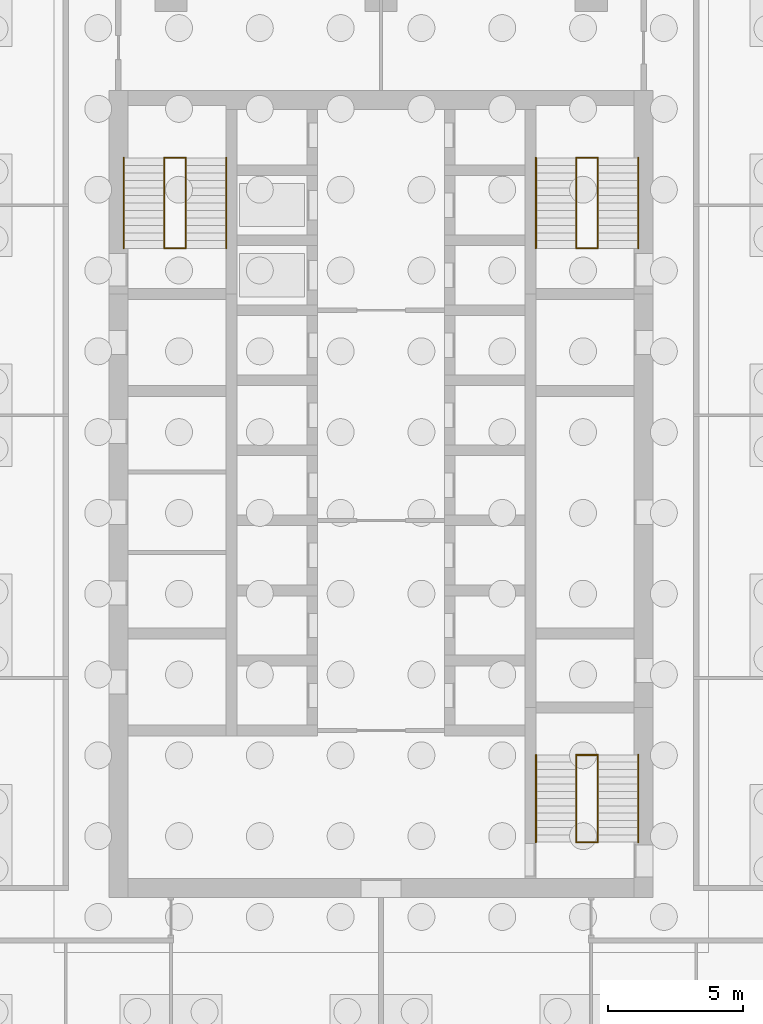
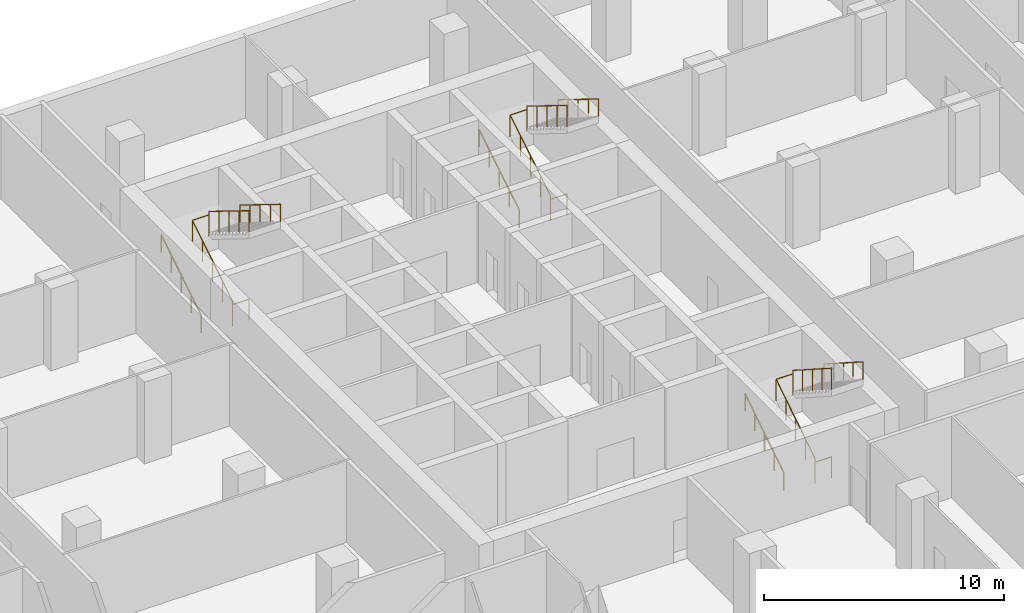
# One storey, part 15 of 16: 18 railings, 3 elements without a shape of their own.
"""IFC4 building model written with IfcOpenShell, lengths in metres."""

import ifcopenshell
import ifcopenshell.guid

model = None  # the IFC model being written
_history = None  # IfcOwnerHistory: only IFC2X3 demands one
_inside = {}  # id of a spatial element -> (the spatial element, [elements in it])
_under = {}  # id of a project, library or spatial element -> (it, [spatial elements below it])
_declared = {}  # id of a project -> (the project, [libraries it declares])
_typed = {}  # id of a type object -> (the type object, [elements of that type])
_made_of = {}  # id of a material, layer set ... -> (it, [elements and type objects made of it])


def new_model(schema):
    """Start an empty IFC model of exactly this schema.

    Asked for "IFC4X3", IfcOpenShell would pick the latest addendum, in which some entities
    have other attributes; the version numbers below select the first issue.
    IFC2X3 requires an IfcOwnerHistory on every rooted entity: one is made here for all.
    """
    global model, _history
    if schema == "IFC4X3":
        model = ifcopenshell.file(schema_version=(4, 3, 0, 0))
    else:
        model = ifcopenshell.file(schema=schema)
    _inside.clear()
    _under.clear()
    _declared.clear()
    _typed.clear()
    _made_of.clear()
    _history = None
    if model.schema == "IFC2X3":
        org = make("IfcOrganization", Name="unknown")
        user = make(
            "IfcPersonAndOrganization",
            ThePerson=make("IfcPerson", FamilyName="unknown"),
            TheOrganization=org,
        )
        app = make(
            "IfcApplication",
            ApplicationDeveloper=org,
            Version="unknown",
            ApplicationFullName="unknown",
            ApplicationIdentifier="unknown",
        )
        _history = make(
            "IfcOwnerHistory",
            OwningUser=user,
            OwningApplication=app,
            ChangeAction="ADDED",
            CreationDate=0,
        )
    return model


def make(cls, **values):
    """One entity of the class cls with the attributes given. An attribute that is None is left unset."""
    return model.create_entity(
        cls, **{name: value for name, value in values.items() if value is not None}
    )


def rooted(cls, **values):
    """An entity with a GlobalId (a new one), such as an element, a storey or a relation."""
    return make(cls, GlobalId=ifcopenshell.guid.new(), OwnerHistory=_history, **values)


def si_unit(unit_type, name, prefix=None):
    """IfcSIUnit, for example si_unit("LENGTHUNIT", "METRE", prefix="MILLI")."""
    return make("IfcSIUnit", UnitType=unit_type, Prefix=prefix, Name=name)


def assignment(units):
    """IfcUnitAssignment: the units of a project."""
    return None if units is None else make("IfcUnitAssignment", Units=units)


def point(xyz):
    """IfcCartesianPoint."""
    return None if xyz is None else make("IfcCartesianPoint", Coordinates=xyz)


def direction(xyz):
    """IfcDirection."""
    return None if xyz is None else make("IfcDirection", DirectionRatios=xyz)


def frame(location, z_axis=None, x_axis=None):
    """IfcAxis2Placement3D, a coordinate frame: its origin and axes. An axis left out is left unset."""
    return make(
        "IfcAxis2Placement3D",
        Location=point(location),
        Axis=direction(z_axis),
        RefDirection=direction(x_axis),
    )


def frame_2d(location, x_axis=None):
    """IfcAxis2Placement2D, a coordinate frame in the plane: its origin and x axis."""
    return make(
        "IfcAxis2Placement2D", Location=point(location), RefDirection=direction(x_axis)
    )


def origin():
    """The frame at (0, 0, 0) with its axes left unset."""
    return frame((0.0, 0.0, 0.0))


def origin_2d():
    """The frame at (0, 0) in the plane with its x axis left unset."""
    return frame_2d((0.0, 0.0))


def place(relative_to, where):
    """IfcLocalPlacement: puts the frame where relative to a parent placement (None: the world)."""
    return make(
        "IfcLocalPlacement", PlacementRelTo=relative_to, RelativePlacement=where
    )


def context(
    kind, dimensions, precision=None, world=None, true_north=None, identifier=None
):
    """IfcGeometricRepresentationContext, for example the 3D "Model" context."""
    return make(
        "IfcGeometricRepresentationContext",
        ContextIdentifier=identifier,
        ContextType=kind,
        CoordinateSpaceDimension=dimensions,
        Precision=precision,
        WorldCoordinateSystem=world,
        TrueNorth=true_north,
    )


def subcontext(parent, identifier, kind, view, scale=None):
    """IfcGeometricRepresentationSubContext, for example "Body" below "Model"."""
    return make(
        "IfcGeometricRepresentationSubContext",
        ContextIdentifier=identifier,
        ContextType=kind,
        ParentContext=parent,
        TargetScale=scale,
        TargetView=view,
    )


def project(units=None, contexts=None):
    """IfcProject with its units and contexts."""
    return rooted(
        "IfcProject",
        Name="project",
        RepresentationContexts=contexts,
        UnitsInContext=assignment(units),
    )


def spatial(cls, under=None, at=None, **own):
    """A site, building, storey or space (cls), placed at a placement, below another one or the project."""
    s = rooted(cls, ObjectPlacement=at, **own)
    if under is not None:
        _under.setdefault(under.id(), (under, []))[1].append(s)
    return s


def profile(cls, at=None, kind="AREA", **sizes):
    """A parametric profile (cls). Its sizes go by their IFC names, for example OverallWidth=200.0."""
    return make(cls, ProfileType=kind, Position=at, **sizes)


def circle(**sizes):
    """IfcCircleProfileDef."""
    return profile("IfcCircleProfileDef", **sizes)


def extrude(swept, where, along, depth):
    """IfcExtrudedAreaSolid: the profile swept, set in the frame where, extruded along a direction by depth."""
    return make(
        "IfcExtrudedAreaSolid",
        SweptArea=swept,
        Position=where,
        ExtrudedDirection=direction(along),
        Depth=depth,
    )


def shape(context_of_items, identifier, shape_type, items):
    """IfcShapeRepresentation: the items that make up one representation, for example the "Body"."""
    return make(
        "IfcShapeRepresentation",
        ContextOfItems=context_of_items,
        RepresentationIdentifier=identifier,
        RepresentationType=shape_type,
        Items=items,
    )


def material(Name=None, Category=None):
    """IfcMaterial."""
    return make("IfcMaterial", Name=Name, Category=Category)


def made_of(thing, what):
    """Note that an element or type object is made of a material, layer set ...; save() writes the relation."""
    if what is not None:
        _made_of.setdefault(what.id(), (what, []))[1].append(thing)
    return thing


def type_object(cls, material=None, **own):
    """A type object (cls), such as IfcWallType, which elements share."""
    return made_of(rooted(cls, **own), material)


def element(
    cls,
    number,
    at=None,
    inside=None,
    cuts=None,
    type_object=None,
    material=None,
    context=None,
    identifier="Body",
    shape_type=None,
    held_by="IfcProductDefinitionShape",
    body=None,
    shapes=None,
    **own,
):
    """One element of the class cls, such as IfcWall. Its Tag is "e" and its number.

    at: its placement. inside: the storey or other place that contains it. cuts: it is an
    opening in that element (IfcRelVoidsElement). A single representation is given by context,
    identifier, shape_type and body (its items); several are given by shapes. held_by: the class
    of the entity that holds the representations. save() writes the other relations.
    """
    e = rooted(cls, Tag="e%d" % number, ObjectPlacement=at, **own)
    if body is not None:
        shapes = [shape(context, identifier, shape_type, body)]
    if shapes is not None:
        e.Representation = make(held_by, Representations=shapes)
    if inside is not None:
        _inside.setdefault(inside.id(), (inside, []))[1].append(e)
    if cuts is not None:
        rooted(
            "IfcRelVoidsElement", RelatingBuildingElement=cuts, RelatedOpeningElement=e
        )
    if type_object is not None:
        _typed.setdefault(type_object.id(), (type_object, []))[1].append(e)
    return made_of(e, material)


def aggregate(whole, parts):
    """IfcRelAggregates: a whole, such as a stair, and the parts it consists of."""
    return rooted("IfcRelAggregates", RelatingObject=whole, RelatedObjects=parts)


def save(model, path):
    """Write the relations noted so far, then the file.

    IfcRelAggregates (storeys below a building ...), IfcRelContainedInSpatialStructure (elements
    in a storey), IfcRelDefinesByType, IfcRelAssociatesMaterial and IfcRelDeclares: one each for
    every whole, place, type object, material and project.
    """
    for whole, parts in _under.values():
        aggregate(whole, parts)
    for where, things in _inside.values():
        rooted(
            "IfcRelContainedInSpatialStructure",
            RelatedElements=things,
            RelatingStructure=where,
        )
    for kind, things in _typed.values():
        rooted("IfcRelDefinesByType", RelatedObjects=things, RelatingType=kind)
    for what, things in _made_of.values():
        rooted("IfcRelAssociatesMaterial", RelatedObjects=things, RelatingMaterial=what)
    for by, libraries in _declared.values():
        rooted("IfcRelDeclares", RelatingContext=by, RelatedDefinitions=libraries)
    model.write(path)


model = new_model("IFC4")

# Units and contexts
model_context = context("Model", 3, precision=1e-05, world=origin(), true_north=direction((0.0, 1.0)))
body_context = subcontext(model_context, "Body", "Model", "MODEL_VIEW")
ifc_project = project(units=[si_unit("LENGTHUNIT", "METRE"), si_unit("AREAUNIT", "SQUARE_METRE"), si_unit("VOLUMEUNIT", "CUBIC_METRE"), si_unit("PLANEANGLEUNIT", "RADIAN"), si_unit("MASSUNIT", "GRAM", prefix="KILO")], contexts=[model_context])

# Site, building, storey
site_placement = place(None, origin())
site = spatial("IfcSite", under=ifc_project, at=site_placement, CompositionType="ELEMENT")
building_placement = place(site_placement, origin())
building = spatial("IfcBuilding", under=site, at=building_placement, Name="Ludao Terraces", CompositionType="ELEMENT")
storey_placement = place(building_placement, frame((0.0, 0.0, -9.0)))
storey = spatial("IfcBuildingStorey", under=building, at=storey_placement, Name="B2", CompositionType="ELEMENT", Elevation=-9.0)

# Stair, railings
ifc_material_1 = material(Name="Concrete C40", Category="concrete")
stair_type = type_object("IfcStairType", Name="INT Stair", PredefinedType="HALF_TURN_STAIR", material=ifc_material_1)
stair_1_placement = place(storey_placement, origin())
stair_1 = element("IfcStair", 1, at=stair_1_placement, inside=storey, type_object=stair_type, Name="EXIT STAIR 1", PredefinedType="HALF_TURN_STAIR")
ifc_material_2 = material(Name="Stainless steel 304", Category="steel")
railing_type_1 = type_object("IfcRailingType", Name="INT Stair guard 1100", PredefinedType="GUARDRAIL", material=ifc_material_2)
railing_1_placement = place(storey_placement, frame((76.949951171875, 79.0, 0.173095703125)))
railing_1 = element("IfcRailing", 2, at=railing_1_placement, type_object=railing_type_1, Name="ST-B2-S1-R1G", PredefinedType="GUARDRAIL", context=body_context, shape_type="SweptSolid", body=[
    extrude(circle(Radius=0.02392578125, at=origin_2d()), frame((0.0, 0.0, 1.076171875), z_axis=(0.0, 0.850623216509, 0.525775754039), x_axis=(-1.0, 0.0, 0.0)), (0.0, 0.0, 1.0), 3.9501953125),
    extrude(circle(Radius=0.02099609375, at=origin_2d()), origin(), (0.0, 0.0, 1.0), 1.052001953125),
    extrude(circle(Radius=0.02099609375, at=origin_2d()), frame((0.0, 0.840087890625, 0.519287109375)), (0.0, 0.0, 1.0), 1.052001953125),
    extrude(circle(Radius=0.02099609375, at=origin_2d()), frame((0.0, 1.68017578125, 1.03857421875)), (0.0, 0.0, 1.0), 1.052001953125),
    extrude(circle(Radius=0.02099609375, at=origin_2d()), frame((0.0, 2.52001953125, 1.5576171875)), (0.0, 0.0, 1.0), 1.052001953125),
    extrude(circle(Radius=0.02099609375, at=origin_2d()), frame((0.0, 3.360107421875, 2.076904296875)), (0.0, 0.0, 1.0), 1.052001953125),
])
railing_2_placement = place(storey_placement, frame((77.75, 82.360107421875, 2.423095703125)))
railing_2 = element("IfcRailing", 3, at=railing_2_placement, type_object=railing_type_1, Name="ST-B2-S1-R2G", PredefinedType="GUARDRAIL", context=body_context, shape_type="SweptSolid", body=[
    extrude(circle(Radius=0.02392578125, at=origin_2d()), frame((0.0, 0.0, 1.076171875), z_axis=(0.0, -0.850623216509, 0.525775754039), x_axis=(1.0, 0.0, 0.0)), (0.0, 0.0, 1.0), 3.9501953125),
    extrude(circle(Radius=0.02099609375, at=origin_2d()), origin(), (0.0, 0.0, 1.0), 1.052001953125),
    extrude(circle(Radius=0.02099609375, at=origin_2d()), frame((0.0, -0.840087890625, 0.519287109375)), (0.0, 0.0, 1.0), 1.052001953125),
    extrude(circle(Radius=0.02099609375, at=origin_2d()), frame((0.0, -1.68017578125, 1.03857421875)), (0.0, 0.0, 1.0), 1.052001953125),
    extrude(circle(Radius=0.02099609375, at=origin_2d()), frame((0.0, -2.52001953125, 1.5576171875)), (0.0, 0.0, 1.0), 1.052001953125),
    extrude(circle(Radius=0.02099609375, at=origin_2d()), frame((0.0, -3.360107421875, 2.076904296875)), (0.0, 0.0, 1.0), 1.052001953125),
])
railing_3_placement = place(storey_placement, frame((76.949951171875, 82.360107421875, 2.25)))
railing_3 = element("IfcRailing", 4, at=railing_3_placement, type_object=railing_type_1, Name="ST-B2-S1-E1G", PredefinedType="GUARDRAIL", context=body_context, shape_type="SweptSolid", body=[
    extrude(circle(Radius=0.02392578125, at=origin_2d()), frame((0.0, 0.0, 1.076171875), z_axis=(1.0, 0.0, 0.0), x_axis=(0.0, 1.0, 0.0)), (0.0, 0.0, 1.0), 0.800048828125),
    extrude(circle(Radius=0.02099609375, at=origin_2d()), origin(), (0.0, 0.0, 1.0), 1.052001953125),
    extrude(circle(Radius=0.02099609375, at=origin_2d()), frame((0.800048828125, 0.0, 0.0)), (0.0, 0.0, 1.0), 1.052001953125),
])
railing_4_placement = place(storey_placement, frame((76.949951171875, 79.0, 0.0)))
railing_4 = element("IfcRailing", 5, at=railing_4_placement, type_object=railing_type_1, Name="ST-B2-S1-E2G", PredefinedType="GUARDRAIL", context=body_context, shape_type="SweptSolid", body=[
    extrude(circle(Radius=0.02392578125, at=origin_2d()), frame((0.0, 0.0, 1.076171875), z_axis=(1.0, 0.0, 0.0), x_axis=(0.0, 1.0, 0.0)), (0.0, 0.0, 1.0), 0.800048828125),
    extrude(circle(Radius=0.02099609375, at=origin_2d()), origin(), (0.0, 0.0, 1.0), 1.052001953125),
    extrude(circle(Radius=0.02099609375, at=origin_2d()), frame((0.800048828125, 0.0, 0.0)), (0.0, 0.0, 1.0), 1.052001953125),
])

stair_2_placement = place(storey_placement, origin())
stair_2 = element("IfcStair", 6, at=stair_2_placement, inside=storey, type_object=stair_type, Name="EXIT STAIR 2", PredefinedType="HALF_TURN_STAIR")
railing_5_placement = place(storey_placement, frame((92.25, 79.0, 0.173095703125)))
railing_5 = element("IfcRailing", 7, at=railing_5_placement, type_object=railing_type_1, Name="ST-B2-S2-R1G", PredefinedType="GUARDRAIL", context=body_context, shape_type="SweptSolid", body=[
    extrude(circle(Radius=0.02392578125, at=origin_2d()), frame((0.0, 0.0, 1.076171875), z_axis=(0.0, 0.850623216509, 0.525775754039), x_axis=(-1.0, 0.0, 0.0)), (0.0, 0.0, 1.0), 3.9501953125),
    extrude(circle(Radius=0.02099609375, at=origin_2d()), origin(), (0.0, 0.0, 1.0), 1.052001953125),
    extrude(circle(Radius=0.02099609375, at=origin_2d()), frame((0.0, 0.840087890625, 0.519287109375)), (0.0, 0.0, 1.0), 1.052001953125),
    extrude(circle(Radius=0.02099609375, at=origin_2d()), frame((0.0, 1.68017578125, 1.03857421875)), (0.0, 0.0, 1.0), 1.052001953125),
    extrude(circle(Radius=0.02099609375, at=origin_2d()), frame((0.0, 2.52001953125, 1.5576171875)), (0.0, 0.0, 1.0), 1.052001953125),
    extrude(circle(Radius=0.02099609375, at=origin_2d()), frame((0.0, 3.360107421875, 2.076904296875)), (0.0, 0.0, 1.0), 1.052001953125),
])
railing_6_placement = place(storey_placement, frame((93.050048828125, 82.360107421875, 2.423095703125)))
railing_6 = element("IfcRailing", 8, at=railing_6_placement, type_object=railing_type_1, Name="ST-B2-S2-R2G", PredefinedType="GUARDRAIL", context=body_context, shape_type="SweptSolid", body=[
    extrude(circle(Radius=0.02392578125, at=origin_2d()), frame((0.0, 0.0, 1.076171875), z_axis=(0.0, -0.850623216509, 0.525775754039), x_axis=(1.0, 0.0, 0.0)), (0.0, 0.0, 1.0), 3.9501953125),
    extrude(circle(Radius=0.02099609375, at=origin_2d()), origin(), (0.0, 0.0, 1.0), 1.052001953125),
    extrude(circle(Radius=0.02099609375, at=origin_2d()), frame((0.0, -0.840087890625, 0.519287109375)), (0.0, 0.0, 1.0), 1.052001953125),
    extrude(circle(Radius=0.02099609375, at=origin_2d()), frame((0.0, -1.68017578125, 1.03857421875)), (0.0, 0.0, 1.0), 1.052001953125),
    extrude(circle(Radius=0.02099609375, at=origin_2d()), frame((0.0, -2.52001953125, 1.5576171875)), (0.0, 0.0, 1.0), 1.052001953125),
    extrude(circle(Radius=0.02099609375, at=origin_2d()), frame((0.0, -3.360107421875, 2.076904296875)), (0.0, 0.0, 1.0), 1.052001953125),
])
railing_7_placement = place(storey_placement, frame((92.25, 82.360107421875, 2.25)))
railing_7 = element("IfcRailing", 9, at=railing_7_placement, type_object=railing_type_1, Name="ST-B2-S2-E1G", PredefinedType="GUARDRAIL", context=body_context, shape_type="SweptSolid", body=[
    extrude(circle(Radius=0.02392578125, at=origin_2d()), frame((0.0, 0.0, 1.076171875), z_axis=(1.0, 0.0, 0.0), x_axis=(0.0, 1.0, 0.0)), (0.0, 0.0, 1.0), 0.800048828125),
    extrude(circle(Radius=0.02099609375, at=origin_2d()), origin(), (0.0, 0.0, 1.0), 1.052001953125),
    extrude(circle(Radius=0.02099609375, at=origin_2d()), frame((0.800048828125, 0.0, 0.0)), (0.0, 0.0, 1.0), 1.052001953125),
])
railing_8_placement = place(storey_placement, frame((92.25, 79.0, 0.0)))
railing_8 = element("IfcRailing", 10, at=railing_8_placement, type_object=railing_type_1, Name="ST-B2-S2-E2G", PredefinedType="GUARDRAIL", context=body_context, shape_type="SweptSolid", body=[
    extrude(circle(Radius=0.02392578125, at=origin_2d()), frame((0.0, 0.0, 1.076171875), z_axis=(1.0, 0.0, 0.0), x_axis=(0.0, 1.0, 0.0)), (0.0, 0.0, 1.0), 0.800048828125),
    extrude(circle(Radius=0.02099609375, at=origin_2d()), origin(), (0.0, 0.0, 1.0), 1.052001953125),
    extrude(circle(Radius=0.02099609375, at=origin_2d()), frame((0.800048828125, 0.0, 0.0)), (0.0, 0.0, 1.0), 1.052001953125),
])

stair_3_placement = place(storey_placement, origin())
stair_3 = element("IfcStair", 11, at=stair_3_placement, inside=storey, type_object=stair_type, Name="EXIT STAIR 3", PredefinedType="HALF_TURN_STAIR")
railing_9_placement = place(storey_placement, frame((92.25, 56.949951171875, 0.173095703125)))
railing_9 = element("IfcRailing", 12, at=railing_9_placement, type_object=railing_type_1, Name="ST-B2-S3-R1G", PredefinedType="GUARDRAIL", context=body_context, shape_type="SweptSolid", body=[
    extrude(circle(Radius=0.02392578125, at=origin_2d()), frame((0.0, 0.0, 1.076171875), z_axis=(0.0, 0.841880617004, 0.539663808971), x_axis=(-1.0, 0.0, 0.0)), (0.0, 0.0, 1.0), 3.8486328125),
    extrude(circle(Radius=0.02099609375, at=origin_2d()), origin(), (0.0, 0.0, 1.0), 1.052001953125),
    extrude(circle(Radius=0.02099609375, at=origin_2d()), frame((0.0, 0.81005859375, 0.519287109375)), (0.0, 0.0, 1.0), 1.052001953125),
    extrude(circle(Radius=0.02099609375, at=origin_2d()), frame((0.0, 1.6201171875, 1.03857421875)), (0.0, 0.0, 1.0), 1.052001953125),
    extrude(circle(Radius=0.02099609375, at=origin_2d()), frame((0.0, 2.429931640625, 1.5576171875)), (0.0, 0.0, 1.0), 1.052001953125),
    extrude(circle(Radius=0.02099609375, at=origin_2d()), frame((0.0, 3.239990234375, 2.076904296875)), (0.0, 0.0, 1.0), 1.052001953125),
])
railing_10_placement = place(storey_placement, frame((93.050048828125, 60.18994140625, 2.423095703125)))
railing_10 = element("IfcRailing", 13, at=railing_10_placement, type_object=railing_type_1, Name="ST-B2-S3-R2G", PredefinedType="GUARDRAIL", context=body_context, shape_type="SweptSolid", body=[
    extrude(circle(Radius=0.02392578125, at=origin_2d()), frame((0.0, 0.0, 1.076171875), z_axis=(0.0, -0.841880617004, 0.539663808971), x_axis=(1.0, 0.0, 0.0)), (0.0, 0.0, 1.0), 3.8486328125),
    extrude(circle(Radius=0.02099609375, at=origin_2d()), origin(), (0.0, 0.0, 1.0), 1.052001953125),
    extrude(circle(Radius=0.02099609375, at=origin_2d()), frame((0.0, -0.81005859375, 0.519287109375)), (0.0, 0.0, 1.0), 1.052001953125),
    extrude(circle(Radius=0.02099609375, at=origin_2d()), frame((0.0, -1.6201171875, 1.03857421875)), (0.0, 0.0, 1.0), 1.052001953125),
    extrude(circle(Radius=0.02099609375, at=origin_2d()), frame((0.0, -2.429931640625, 1.5576171875)), (0.0, 0.0, 1.0), 1.052001953125),
    extrude(circle(Radius=0.02099609375, at=origin_2d()), frame((0.0, -3.239990234375, 2.076904296875)), (0.0, 0.0, 1.0), 1.052001953125),
])
railing_11_placement = place(storey_placement, frame((92.25, 60.18994140625, 2.25)))
railing_11 = element("IfcRailing", 14, at=railing_11_placement, type_object=railing_type_1, Name="ST-B2-S3-E1G", PredefinedType="GUARDRAIL", context=body_context, shape_type="SweptSolid", body=[
    extrude(circle(Radius=0.02392578125, at=origin_2d()), frame((0.0, 0.0, 1.076171875), z_axis=(1.0, 0.0, 0.0), x_axis=(0.0, 1.0, 0.0)), (0.0, 0.0, 1.0), 0.800048828125),
    extrude(circle(Radius=0.02099609375, at=origin_2d()), origin(), (0.0, 0.0, 1.0), 1.052001953125),
    extrude(circle(Radius=0.02099609375, at=origin_2d()), frame((0.800048828125, 0.0, 0.0)), (0.0, 0.0, 1.0), 1.052001953125),
])
railing_12_placement = place(storey_placement, frame((92.25, 56.949951171875, 0.0)))
railing_12 = element("IfcRailing", 15, at=railing_12_placement, type_object=railing_type_1, Name="ST-B2-S3-E2G", PredefinedType="GUARDRAIL", context=body_context, shape_type="SweptSolid", body=[
    extrude(circle(Radius=0.02392578125, at=origin_2d()), frame((0.0, 0.0, 1.076171875), z_axis=(1.0, 0.0, 0.0), x_axis=(0.0, 1.0, 0.0)), (0.0, 0.0, 1.0), 0.800048828125),
    extrude(circle(Radius=0.02099609375, at=origin_2d()), origin(), (0.0, 0.0, 1.0), 1.052001953125),
    extrude(circle(Radius=0.02099609375, at=origin_2d()), frame((0.800048828125, 0.0, 0.0)), (0.0, 0.0, 1.0), 1.052001953125),
])

# Railing
railing_type_2 = type_object("IfcRailingType", Name="INT Stair handrail 900", PredefinedType="HANDRAIL", material=ifc_material_2)
railing_13_placement = place(storey_placement, frame((75.449951171875, 79.0, 0.173095703125)))
railing_13 = element("IfcRailing", 16, at=railing_13_placement, type_object=railing_type_2, Name="ST-B2-S1-R1H", PredefinedType="HANDRAIL", context=body_context, shape_type="SweptSolid", body=[
    extrude(circle(Radius=0.02392578125, at=origin_2d()), frame((0.0, 0.0, 0.8759765625), z_axis=(0.0, 0.850623216509, 0.525775754039), x_axis=(-1.0, 0.0, 0.0)), (0.0, 0.0, 1.0), 3.9501953125),
    extrude(circle(Radius=0.02099609375, at=origin_2d()), origin(), (0.0, 0.0, 1.0), 0.851806640625),
    extrude(circle(Radius=0.02099609375, at=origin_2d()), frame((0.0, 0.840087890625, 0.519287109375)), (0.0, 0.0, 1.0), 0.851806640625),
    extrude(circle(Radius=0.02099609375, at=origin_2d()), frame((0.0, 1.68017578125, 1.03857421875)), (0.0, 0.0, 1.0), 0.851806640625),
    extrude(circle(Radius=0.02099609375, at=origin_2d()), frame((0.0, 2.52001953125, 1.5576171875)), (0.0, 0.0, 1.0), 0.851806640625),
    extrude(circle(Radius=0.02099609375, at=origin_2d()), frame((0.0, 3.360107421875, 2.076904296875)), (0.0, 0.0, 1.0), 0.851806640625),
])

railing_14_placement = place(storey_placement, frame((79.25, 82.360107421875, 2.423095703125)))
railing_14 = element("IfcRailing", 17, at=railing_14_placement, type_object=railing_type_2, Name="ST-B2-S1-R2H", PredefinedType="HANDRAIL", context=body_context, shape_type="SweptSolid", body=[
    extrude(circle(Radius=0.02392578125, at=origin_2d()), frame((0.0, 0.0, 0.8759765625), z_axis=(0.0, -0.850623216509, 0.525775754039), x_axis=(1.0, 0.0, 0.0)), (0.0, 0.0, 1.0), 3.9501953125),
    extrude(circle(Radius=0.02099609375, at=origin_2d()), origin(), (0.0, 0.0, 1.0), 0.851806640625),
    extrude(circle(Radius=0.02099609375, at=origin_2d()), frame((0.0, -0.840087890625, 0.519287109375)), (0.0, 0.0, 1.0), 0.851806640625),
    extrude(circle(Radius=0.02099609375, at=origin_2d()), frame((0.0, -1.68017578125, 1.03857421875)), (0.0, 0.0, 1.0), 0.851806640625),
    extrude(circle(Radius=0.02099609375, at=origin_2d()), frame((0.0, -2.52001953125, 1.5576171875)), (0.0, 0.0, 1.0), 0.851806640625),
    extrude(circle(Radius=0.02099609375, at=origin_2d()), frame((0.0, -3.360107421875, 2.076904296875)), (0.0, 0.0, 1.0), 0.851806640625),
])

aggregate(stair_1, [railing_1, railing_13, railing_2, railing_14, railing_3, railing_4])

railing_15_placement = place(storey_placement, frame((90.75, 79.0, 0.173095703125)))
railing_15 = element("IfcRailing", 18, at=railing_15_placement, type_object=railing_type_2, Name="ST-B2-S2-R1H", PredefinedType="HANDRAIL", context=body_context, shape_type="SweptSolid", body=[
    extrude(circle(Radius=0.02392578125, at=origin_2d()), frame((0.0, 0.0, 0.8759765625), z_axis=(0.0, 0.850623216509, 0.525775754039), x_axis=(-1.0, 0.0, 0.0)), (0.0, 0.0, 1.0), 3.9501953125),
    extrude(circle(Radius=0.02099609375, at=origin_2d()), origin(), (0.0, 0.0, 1.0), 0.851806640625),
    extrude(circle(Radius=0.02099609375, at=origin_2d()), frame((0.0, 0.840087890625, 0.519287109375)), (0.0, 0.0, 1.0), 0.851806640625),
    extrude(circle(Radius=0.02099609375, at=origin_2d()), frame((0.0, 1.68017578125, 1.03857421875)), (0.0, 0.0, 1.0), 0.851806640625),
    extrude(circle(Radius=0.02099609375, at=origin_2d()), frame((0.0, 2.52001953125, 1.5576171875)), (0.0, 0.0, 1.0), 0.851806640625),
    extrude(circle(Radius=0.02099609375, at=origin_2d()), frame((0.0, 3.360107421875, 2.076904296875)), (0.0, 0.0, 1.0), 0.851806640625),
])

railing_16_placement = place(storey_placement, frame((94.550048828125, 82.360107421875, 2.423095703125)))
railing_16 = element("IfcRailing", 19, at=railing_16_placement, type_object=railing_type_2, Name="ST-B2-S2-R2H", PredefinedType="HANDRAIL", context=body_context, shape_type="SweptSolid", body=[
    extrude(circle(Radius=0.02392578125, at=origin_2d()), frame((0.0, 0.0, 0.8759765625), z_axis=(0.0, -0.850623216509, 0.525775754039), x_axis=(1.0, 0.0, 0.0)), (0.0, 0.0, 1.0), 3.9501953125),
    extrude(circle(Radius=0.02099609375, at=origin_2d()), origin(), (0.0, 0.0, 1.0), 0.851806640625),
    extrude(circle(Radius=0.02099609375, at=origin_2d()), frame((0.0, -0.840087890625, 0.519287109375)), (0.0, 0.0, 1.0), 0.851806640625),
    extrude(circle(Radius=0.02099609375, at=origin_2d()), frame((0.0, -1.68017578125, 1.03857421875)), (0.0, 0.0, 1.0), 0.851806640625),
    extrude(circle(Radius=0.02099609375, at=origin_2d()), frame((0.0, -2.52001953125, 1.5576171875)), (0.0, 0.0, 1.0), 0.851806640625),
    extrude(circle(Radius=0.02099609375, at=origin_2d()), frame((0.0, -3.360107421875, 2.076904296875)), (0.0, 0.0, 1.0), 0.851806640625),
])

aggregate(stair_2, [railing_5, railing_15, railing_6, railing_16, railing_7, railing_8])

railing_17_placement = place(storey_placement, frame((90.75, 56.949951171875, 0.173095703125)))
railing_17 = element("IfcRailing", 20, at=railing_17_placement, type_object=railing_type_2, Name="ST-B2-S3-R1H", PredefinedType="HANDRAIL", context=body_context, shape_type="SweptSolid", body=[
    extrude(circle(Radius=0.02392578125, at=origin_2d()), frame((0.0, 0.0, 0.8759765625), z_axis=(0.0, 0.841880617004, 0.539663808971), x_axis=(-1.0, 0.0, 0.0)), (0.0, 0.0, 1.0), 3.8486328125),
    extrude(circle(Radius=0.02099609375, at=origin_2d()), origin(), (0.0, 0.0, 1.0), 0.851806640625),
    extrude(circle(Radius=0.02099609375, at=origin_2d()), frame((0.0, 0.81005859375, 0.519287109375)), (0.0, 0.0, 1.0), 0.851806640625),
    extrude(circle(Radius=0.02099609375, at=origin_2d()), frame((0.0, 1.6201171875, 1.03857421875)), (0.0, 0.0, 1.0), 0.851806640625),
    extrude(circle(Radius=0.02099609375, at=origin_2d()), frame((0.0, 2.429931640625, 1.5576171875)), (0.0, 0.0, 1.0), 0.851806640625),
    extrude(circle(Radius=0.02099609375, at=origin_2d()), frame((0.0, 3.239990234375, 2.076904296875)), (0.0, 0.0, 1.0), 0.851806640625),
])

railing_18_placement = place(storey_placement, frame((94.550048828125, 60.18994140625, 2.423095703125)))
railing_18 = element("IfcRailing", 21, at=railing_18_placement, type_object=railing_type_2, Name="ST-B2-S3-R2H", PredefinedType="HANDRAIL", context=body_context, shape_type="SweptSolid", body=[
    extrude(circle(Radius=0.02392578125, at=origin_2d()), frame((0.0, 0.0, 0.8759765625), z_axis=(0.0, -0.841880617004, 0.539663808971), x_axis=(1.0, 0.0, 0.0)), (0.0, 0.0, 1.0), 3.8486328125),
    extrude(circle(Radius=0.02099609375, at=origin_2d()), origin(), (0.0, 0.0, 1.0), 0.851806640625),
    extrude(circle(Radius=0.02099609375, at=origin_2d()), frame((0.0, -0.81005859375, 0.519287109375)), (0.0, 0.0, 1.0), 0.851806640625),
    extrude(circle(Radius=0.02099609375, at=origin_2d()), frame((0.0, -1.6201171875, 1.03857421875)), (0.0, 0.0, 1.0), 0.851806640625),
    extrude(circle(Radius=0.02099609375, at=origin_2d()), frame((0.0, -2.429931640625, 1.5576171875)), (0.0, 0.0, 1.0), 0.851806640625),
    extrude(circle(Radius=0.02099609375, at=origin_2d()), frame((0.0, -3.239990234375, 2.076904296875)), (0.0, 0.0, 1.0), 0.851806640625),
])

aggregate(stair_3, [railing_9, railing_17, railing_10, railing_18, railing_11, railing_12])

save(model, "model.ifc")
